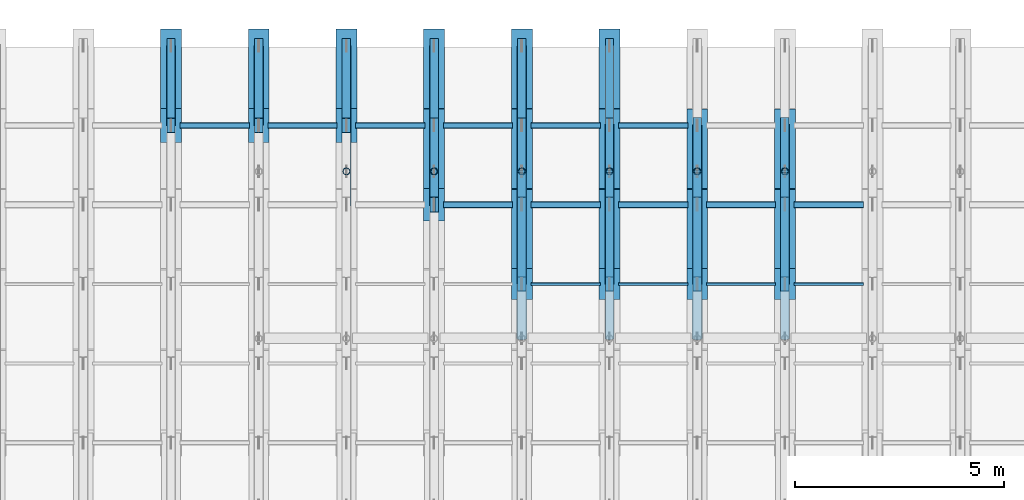
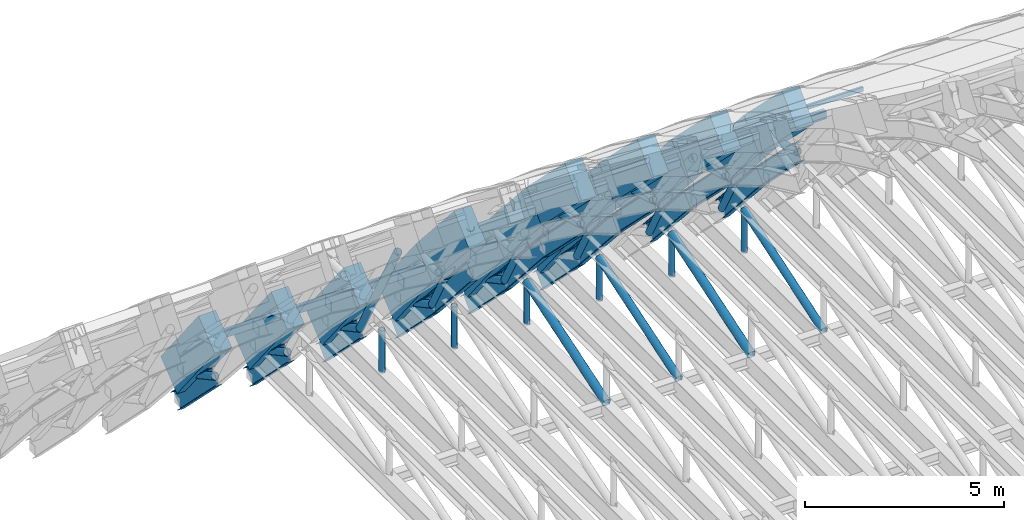
# One storey, part 47 of 67: 40 members, 30 beams.
"""IFC4 building model written with IfcOpenShell, lengths in metres."""

from ifc_helpers import new_model, si_unit, direction, frame, origin, origin_2d, place, context, subcontext, project, spatial, rectangle, hollow_rectangle, hollow_circle, i_section, extrude, material, material_profile, profile_set, type_object, element, save


model = new_model("IFC4")

# Units and contexts
model_context = context("Model", 3, precision=1e-05, world=origin(), true_north=direction((0.0, 1.0)))
body_context = subcontext(model_context, "Body", "Model", "MODEL_VIEW")
ifc_project = project(units=[si_unit("LENGTHUNIT", "METRE"), si_unit("AREAUNIT", "SQUARE_METRE"), si_unit("VOLUMEUNIT", "CUBIC_METRE"), si_unit("PLANEANGLEUNIT", "RADIAN"), si_unit("MASSUNIT", "GRAM", prefix="KILO")], contexts=[model_context])

# Site, building, storey
site_placement = place(None, origin())
site = spatial("IfcSite", under=ifc_project, at=site_placement, CompositionType="ELEMENT")
building_placement = place(site_placement, origin())
building = spatial("IfcBuilding", under=site, at=building_placement, Name="Shengluoqiao Park Theatre", CompositionType="ELEMENT")
storey_placement = place(building_placement, frame((0.0, 0.0, 28.60009765625)))
storey = spatial("IfcBuildingStorey", under=building, at=storey_placement, Name="Roof", CompositionType="ELEMENT", Elevation=28.60009765625)

# Beams
ifc_material_1 = material(Name="Concrete C50", Category="concrete")
ifc_material_profile_1 = material_profile(ifc_material_1, rectangle(XDim=0.5, YDim=1.050048828125, at=origin_2d()), Name="RC ARCH 500x1050")
ifc_profile_set_1 = profile_set([ifc_material_profile_1], Name="Concrete C50")
beam_type_1 = type_object("IfcBeamType", Name="STR-BM-AR-5010", PredefinedType="BEAM", material=ifc_profile_set_1)
for number, where, z_axis, x_axis, name in (
    (1, (61.199951171875, 112.10009765625, -7.6259765625), (0.0, 0.621631409309, -0.783309894588), (-1.0, 0.0, 0.0), "Barrel-Shell Arch Rib R09-S20"),
    (2, (63.300048828125, 112.10009765625, -7.6259765625), (0.0, 0.621631409309, -0.783309894588), (-1.0, 0.0, 0.0), "Barrel-Shell Arch Rib R10-S20"),
    (3, (65.39990234375, 112.10009765625, -7.6259765625), (0.0, 0.621631409309, -0.783309894588), (-1.0, 0.0, 0.0), "Barrel-Shell Arch Rib R11-S20"),
):
    element("IfcBeam", number, at=place(storey_placement, frame(where, z_axis=z_axis, x_axis=x_axis)), inside=storey, type_object=beam_type_1, Name=name, PredefinedType="BEAM", context=body_context, shape_type="SweptSolid", body=[
        extrude(rectangle(XDim=0.5, YDim=1.050048828125, at=origin_2d()), origin(), (0.0, 0.0, 1.0), 3.056396484375),
    ])
beam_1_placement = place(storey_placement, frame((67.5, 110.199951171875, -5.484130859375), z_axis=(0.0, 0.663638456789, -0.748053473136), x_axis=(-1.0, 0.0, 0.0)))
element("IfcBeam", 4, at=beam_1_placement, inside=storey, type_object=beam_type_1, Name="Barrel-Shell Arch Rib R12-S19", PredefinedType="BEAM", context=body_context, shape_type="SweptSolid", body=[
    extrude(rectangle(XDim=0.5, YDim=1.050048828125, at=origin_2d()), origin(), (0.0, 0.0, 1.0), 2.86328125),
])
beam_2_placement = place(storey_placement, frame((67.5, 112.10009765625, -7.6259765625), z_axis=(0.0, 0.621631409309, -0.783309894588), x_axis=(-1.0, 0.0, 0.0)))
element("IfcBeam", 5, at=beam_2_placement, inside=storey, type_object=beam_type_1, Name="Barrel-Shell Arch Rib R12-S20", PredefinedType="BEAM", context=body_context, shape_type="SweptSolid", body=[
    extrude(rectangle(XDim=0.5, YDim=1.050048828125, at=origin_2d()), origin(), (0.0, 0.0, 1.0), 3.056396484375),
])
beam_3_placement = place(storey_placement, frame((69.60009765625, 108.300048828125, -3.593994140625), z_axis=(0.0, 0.708926398432, -0.705282469373), x_axis=(-1.0, 0.0, 0.0)))
element("IfcBeam", 6, at=beam_3_placement, inside=storey, type_object=beam_type_1, Name="Barrel-Shell Arch Rib R13-S18", PredefinedType="BEAM", context=body_context, shape_type="SweptSolid", body=[
    extrude(rectangle(XDim=0.5, YDim=1.050048828125, at=origin_2d()), origin(), (0.0, 0.0, 1.0), 2.679931640625),
])
beam_4_placement = place(storey_placement, frame((69.60009765625, 110.199951171875, -5.484130859375), z_axis=(0.0, 0.663638456789, -0.748053473136), x_axis=(-1.0, 0.0, 0.0)))
element("IfcBeam", 7, at=beam_4_placement, inside=storey, type_object=beam_type_1, Name="Barrel-Shell Arch Rib R13-S19", PredefinedType="BEAM", context=body_context, shape_type="SweptSolid", body=[
    extrude(rectangle(XDim=0.5, YDim=1.050048828125, at=origin_2d()), origin(), (0.0, 0.0, 1.0), 2.86328125),
])
beam_5_placement = place(storey_placement, frame((69.60009765625, 112.10009765625, -7.6259765625), z_axis=(0.0, 0.621631409309, -0.783309894588), x_axis=(-1.0, 0.0, 0.0)))
element("IfcBeam", 8, at=beam_5_placement, inside=storey, type_object=beam_type_1, Name="Barrel-Shell Arch Rib R13-S20", PredefinedType="BEAM", context=body_context, shape_type="SweptSolid", body=[
    extrude(rectangle(XDim=0.5, YDim=1.050048828125, at=origin_2d()), origin(), (0.0, 0.0, 1.0), 3.056396484375),
])
beam_6_placement = place(storey_placement, frame((71.699951171875, 108.300048828125, -3.593994140625), z_axis=(0.0, 0.708926398432, -0.705282469373), x_axis=(-1.0, 0.0, 0.0)))
element("IfcBeam", 9, at=beam_6_placement, inside=storey, type_object=beam_type_1, Name="Barrel-Shell Arch Rib R14-S18", PredefinedType="BEAM", context=body_context, shape_type="SweptSolid", body=[
    extrude(rectangle(XDim=0.5, YDim=1.050048828125, at=origin_2d()), origin(), (0.0, 0.0, 1.0), 2.679931640625),
])
beam_7_placement = place(storey_placement, frame((71.699951171875, 110.199951171875, -5.484130859375), z_axis=(0.0, 0.663638456789, -0.748053473136), x_axis=(-1.0, 0.0, 0.0)))
element("IfcBeam", 10, at=beam_7_placement, inside=storey, type_object=beam_type_1, Name="Barrel-Shell Arch Rib R14-S19", PredefinedType="BEAM", context=body_context, shape_type="SweptSolid", body=[
    extrude(rectangle(XDim=0.5, YDim=1.050048828125, at=origin_2d()), origin(), (0.0, 0.0, 1.0), 2.86328125),
])
beam_8_placement = place(storey_placement, frame((71.699951171875, 112.10009765625, -7.6259765625), z_axis=(0.0, 0.621631409309, -0.783309894588), x_axis=(-1.0, 0.0, 0.0)))
element("IfcBeam", 11, at=beam_8_placement, inside=storey, type_object=beam_type_1, Name="Barrel-Shell Arch Rib R14-S20", PredefinedType="BEAM", context=body_context, shape_type="SweptSolid", body=[
    extrude(rectangle(XDim=0.5, YDim=1.050048828125, at=origin_2d()), origin(), (0.0, 0.0, 1.0), 3.056396484375),
])
beam_9_placement = place(storey_placement, frame((73.800048828125, 108.300048828125, -3.593994140625), z_axis=(0.0, 0.708926398432, -0.705282469373), x_axis=(-1.0, 0.0, 0.0)))
element("IfcBeam", 12, at=beam_9_placement, inside=storey, type_object=beam_type_1, Name="Barrel-Shell Arch Rib R15-S18", PredefinedType="BEAM", context=body_context, shape_type="SweptSolid", body=[
    extrude(rectangle(XDim=0.5, YDim=1.050048828125, at=origin_2d()), origin(), (0.0, 0.0, 1.0), 2.679931640625),
])
beam_10_placement = place(storey_placement, frame((73.800048828125, 110.199951171875, -5.484130859375), z_axis=(0.0, 0.663638456789, -0.748053473136), x_axis=(-1.0, 0.0, 0.0)))
element("IfcBeam", 13, at=beam_10_placement, inside=storey, type_object=beam_type_1, Name="Barrel-Shell Arch Rib R15-S19", PredefinedType="BEAM", context=body_context, shape_type="SweptSolid", body=[
    extrude(rectangle(XDim=0.5, YDim=1.050048828125, at=origin_2d()), origin(), (0.0, 0.0, 1.0), 2.86328125),
])
beam_11_placement = place(storey_placement, frame((75.89990234375, 108.300048828125, -3.593994140625), z_axis=(0.0, 0.708926398432, -0.705282469373), x_axis=(-1.0, 0.0, 0.0)))
element("IfcBeam", 14, at=beam_11_placement, inside=storey, type_object=beam_type_1, Name="Barrel-Shell Arch Rib R16-S18", PredefinedType="BEAM", context=body_context, shape_type="SweptSolid", body=[
    extrude(rectangle(XDim=0.5, YDim=1.050048828125, at=origin_2d()), origin(), (0.0, 0.0, 1.0), 2.679931640625),
])
beam_12_placement = place(storey_placement, frame((75.89990234375, 110.199951171875, -5.484130859375), z_axis=(0.0, 0.663638456789, -0.748053473136), x_axis=(-1.0, 0.0, 0.0)))
element("IfcBeam", 15, at=beam_12_placement, inside=storey, type_object=beam_type_1, Name="Barrel-Shell Arch Rib R16-S19", PredefinedType="BEAM", context=body_context, shape_type="SweptSolid", body=[
    extrude(rectangle(XDim=0.5, YDim=1.050048828125, at=origin_2d()), origin(), (0.0, 0.0, 1.0), 2.86328125),
])
ifc_material_2 = material(Name="Steel Q355", Category="steel")
ifc_material_profile_2 = material_profile(ifc_material_2, i_section(OverallWidth=0.199951171875, OverallDepth=0.5, WebThickness=0.010009765625, FlangeThickness=0.01611328125, FilletRadius=0.01806640625, at=origin_2d()), Name="HN 500x200x10x16")
ifc_profile_set_2 = profile_set([ifc_material_profile_2], Name="Steel Q355")
beam_type_2 = type_object("IfcBeamType", Name="STR-BM-J-HN500", PredefinedType="JOIST", material=ifc_profile_set_2)
for number, where, z_axis, x_axis, name in (
    (16, (61.199951171875, 112.10009765625, -8.986083984375), (0.0, 0.708197993403, -0.706013882398), (-1.0, 0.0, 0.0), "Barrel-Shell Lower Arch Chord R09-S20"),
    (17, (63.300048828125, 112.10009765625, -8.986083984375), (0.0, 0.708197993403, -0.706013882398), (-1.0, 0.0, 0.0), "Barrel-Shell Lower Arch Chord R10-S20"),
    (18, (65.39990234375, 112.10009765625, -8.986083984375), (0.0, 0.708197993403, -0.706013882398), (-1.0, 0.0, 0.0), "Barrel-Shell Lower Arch Chord R11-S20"),
):
    element("IfcBeam", number, at=place(storey_placement, frame(where, z_axis=z_axis, x_axis=x_axis)), inside=storey, type_object=beam_type_2, Name=name, PredefinedType="JOIST", context=body_context, shape_type="SweptSolid", body=[
        extrude(i_section(OverallWidth=0.199951171875, OverallDepth=0.5, WebThickness=0.010009765625, FlangeThickness=0.01611328125, FilletRadius=0.01806640625, at=origin_2d()), origin(), (0.0, 0.0, 1.0), 2.6826171875),
    ])
beam_13_placement = place(storey_placement, frame((67.5, 110.199951171875, -6.843994140625), z_axis=(0.0, 0.663596128385, -0.748091022799), x_axis=(-1.0, 0.0, 0.0)))
element("IfcBeam", 19, at=beam_13_placement, inside=storey, type_object=beam_type_2, Name="Barrel-Shell Lower Arch Chord R12-S19", PredefinedType="JOIST", context=body_context, shape_type="SweptSolid", body=[
    extrude(i_section(OverallWidth=0.199951171875, OverallDepth=0.5, WebThickness=0.010009765625, FlangeThickness=0.01611328125, FilletRadius=0.01806640625, at=origin_2d()), origin(), (0.0, 0.0, 1.0), 2.863525390625),
])
beam_14_placement = place(storey_placement, frame((67.5, 112.10009765625, -8.986083984375), z_axis=(0.0, 0.708197993403, -0.706013882398), x_axis=(-1.0, 0.0, 0.0)))
element("IfcBeam", 20, at=beam_14_placement, inside=storey, type_object=beam_type_2, Name="Barrel-Shell Lower Arch Chord R12-S20", PredefinedType="JOIST", context=body_context, shape_type="SweptSolid", body=[
    extrude(i_section(OverallWidth=0.199951171875, OverallDepth=0.5, WebThickness=0.010009765625, FlangeThickness=0.01611328125, FilletRadius=0.01806640625, at=origin_2d()), origin(), (0.0, 0.0, 1.0), 2.6826171875),
])
beam_15_placement = place(storey_placement, frame((69.60009765625, 108.300048828125, -4.9541015625), z_axis=(0.0, 0.708971948389, -0.70523668112), x_axis=(-1.0, 0.0, 0.0)))
element("IfcBeam", 21, at=beam_15_placement, inside=storey, type_object=beam_type_2, Name="Barrel-Shell Lower Arch Chord R13-S18", PredefinedType="JOIST", context=body_context, shape_type="SweptSolid", body=[
    extrude(i_section(OverallWidth=0.199951171875, OverallDepth=0.5, WebThickness=0.010009765625, FlangeThickness=0.01611328125, FilletRadius=0.01806640625, at=origin_2d()), origin(), (0.0, 0.0, 1.0), 2.6796875),
])
beam_16_placement = place(storey_placement, frame((69.60009765625, 110.199951171875, -6.843994140625), z_axis=(0.0, 0.663596128385, -0.748091022799), x_axis=(-1.0, 0.0, 0.0)))
element("IfcBeam", 22, at=beam_16_placement, inside=storey, type_object=beam_type_2, Name="Barrel-Shell Lower Arch Chord R13-S19", PredefinedType="JOIST", context=body_context, shape_type="SweptSolid", body=[
    extrude(i_section(OverallWidth=0.199951171875, OverallDepth=0.5, WebThickness=0.010009765625, FlangeThickness=0.01611328125, FilletRadius=0.01806640625, at=origin_2d()), origin(), (0.0, 0.0, 1.0), 2.863525390625),
])
beam_17_placement = place(storey_placement, frame((69.60009765625, 112.10009765625, -8.986083984375), z_axis=(0.0, 0.708197993403, -0.706013882398), x_axis=(-1.0, 0.0, 0.0)))
element("IfcBeam", 23, at=beam_17_placement, inside=storey, type_object=beam_type_2, Name="Barrel-Shell Lower Arch Chord R13-S20", PredefinedType="JOIST", context=body_context, shape_type="SweptSolid", body=[
    extrude(i_section(OverallWidth=0.199951171875, OverallDepth=0.5, WebThickness=0.010009765625, FlangeThickness=0.01611328125, FilletRadius=0.01806640625, at=origin_2d()), origin(), (0.0, 0.0, 1.0), 2.6826171875),
])
beam_18_placement = place(storey_placement, frame((71.699951171875, 108.300048828125, -4.9541015625), z_axis=(0.0, 0.708971948389, -0.70523668112), x_axis=(-1.0, 0.0, 0.0)))
element("IfcBeam", 24, at=beam_18_placement, inside=storey, type_object=beam_type_2, Name="Barrel-Shell Lower Arch Chord R14-S18", PredefinedType="JOIST", context=body_context, shape_type="SweptSolid", body=[
    extrude(i_section(OverallWidth=0.199951171875, OverallDepth=0.5, WebThickness=0.010009765625, FlangeThickness=0.01611328125, FilletRadius=0.01806640625, at=origin_2d()), origin(), (0.0, 0.0, 1.0), 2.6796875),
])
beam_19_placement = place(storey_placement, frame((71.699951171875, 110.199951171875, -6.843994140625), z_axis=(0.0, 0.663596128385, -0.748091022799), x_axis=(-1.0, 0.0, 0.0)))
element("IfcBeam", 25, at=beam_19_placement, inside=storey, type_object=beam_type_2, Name="Barrel-Shell Lower Arch Chord R14-S19", PredefinedType="JOIST", context=body_context, shape_type="SweptSolid", body=[
    extrude(i_section(OverallWidth=0.199951171875, OverallDepth=0.5, WebThickness=0.010009765625, FlangeThickness=0.01611328125, FilletRadius=0.01806640625, at=origin_2d()), origin(), (0.0, 0.0, 1.0), 2.863525390625),
])
beam_20_placement = place(storey_placement, frame((71.699951171875, 112.10009765625, -8.986083984375), z_axis=(0.0, 0.708197993403, -0.706013882398), x_axis=(-1.0, 0.0, 0.0)))
element("IfcBeam", 26, at=beam_20_placement, inside=storey, type_object=beam_type_2, Name="Barrel-Shell Lower Arch Chord R14-S20", PredefinedType="JOIST", context=body_context, shape_type="SweptSolid", body=[
    extrude(i_section(OverallWidth=0.199951171875, OverallDepth=0.5, WebThickness=0.010009765625, FlangeThickness=0.01611328125, FilletRadius=0.01806640625, at=origin_2d()), origin(), (0.0, 0.0, 1.0), 2.6826171875),
])
beam_21_placement = place(storey_placement, frame((73.800048828125, 108.300048828125, -4.9541015625), z_axis=(0.0, 0.708971948389, -0.70523668112), x_axis=(-1.0, 0.0, 0.0)))
element("IfcBeam", 27, at=beam_21_placement, inside=storey, type_object=beam_type_2, Name="Barrel-Shell Lower Arch Chord R15-S18", PredefinedType="JOIST", context=body_context, shape_type="SweptSolid", body=[
    extrude(i_section(OverallWidth=0.199951171875, OverallDepth=0.5, WebThickness=0.010009765625, FlangeThickness=0.01611328125, FilletRadius=0.01806640625, at=origin_2d()), origin(), (0.0, 0.0, 1.0), 2.6796875),
])
beam_22_placement = place(storey_placement, frame((73.800048828125, 110.199951171875, -6.843994140625), z_axis=(0.0, 0.663596128385, -0.748091022799), x_axis=(-1.0, 0.0, 0.0)))
element("IfcBeam", 28, at=beam_22_placement, inside=storey, type_object=beam_type_2, Name="Barrel-Shell Lower Arch Chord R15-S19", PredefinedType="JOIST", context=body_context, shape_type="SweptSolid", body=[
    extrude(i_section(OverallWidth=0.199951171875, OverallDepth=0.5, WebThickness=0.010009765625, FlangeThickness=0.01611328125, FilletRadius=0.01806640625, at=origin_2d()), origin(), (0.0, 0.0, 1.0), 2.863525390625),
])
beam_23_placement = place(storey_placement, frame((75.89990234375, 108.300048828125, -4.9541015625), z_axis=(0.0, 0.708971948389, -0.70523668112), x_axis=(-1.0, 0.0, 0.0)))
element("IfcBeam", 29, at=beam_23_placement, inside=storey, type_object=beam_type_2, Name="Barrel-Shell Lower Arch Chord R16-S18", PredefinedType="JOIST", context=body_context, shape_type="SweptSolid", body=[
    extrude(i_section(OverallWidth=0.199951171875, OverallDepth=0.5, WebThickness=0.010009765625, FlangeThickness=0.01611328125, FilletRadius=0.01806640625, at=origin_2d()), origin(), (0.0, 0.0, 1.0), 2.6796875),
])
beam_24_placement = place(storey_placement, frame((75.89990234375, 110.199951171875, -6.843994140625), z_axis=(0.0, 0.663596128385, -0.748091022799), x_axis=(-1.0, 0.0, 0.0)))
element("IfcBeam", 30, at=beam_24_placement, inside=storey, type_object=beam_type_2, Name="Barrel-Shell Lower Arch Chord R16-S19", PredefinedType="JOIST", context=body_context, shape_type="SweptSolid", body=[
    extrude(i_section(OverallWidth=0.199951171875, OverallDepth=0.5, WebThickness=0.010009765625, FlangeThickness=0.01611328125, FilletRadius=0.01806640625, at=origin_2d()), origin(), (0.0, 0.0, 1.0), 2.863525390625),
])

# Members
ifc_material_profile_3 = material_profile(ifc_material_2, hollow_circle(Radius=0.109619140625, WallThickness=0.010009765625, at=origin_2d()), Name="CHS 219x10")
ifc_profile_set_3 = profile_set([ifc_material_profile_3], Name="Steel Q355")
member_type_1 = type_object("IfcMemberType", Name="STR-MEM-BRC-219", PredefinedType="BRACE", material=ifc_profile_set_3)
for number, where, z_axis, x_axis, name in (
    (31, (61.199951171875, 112.10009765625, -8.986083984375), (0.0, 0.878356711208, -0.478005740422), (-1.0, 0.0, 0.0), "Barrel-Shell Arch Truss Web 0180"),
    (32, (63.300048828125, 112.10009765625, -8.986083984375), (0.0, 0.878356711208, -0.478005740422), (-1.0, 0.0, 0.0), "Barrel-Shell Arch Truss Web 0200"),
):
    element("IfcMember", number, at=place(storey_placement, frame(where, z_axis=z_axis, x_axis=x_axis)), inside=storey, type_object=member_type_1, Name=name, PredefinedType="BRACE", context=body_context, shape_type="SweptSolid", body=[
        extrude(hollow_circle(Radius=0.109619140625, WallThickness=0.010009765625, at=origin_2d()), origin(), (0.0, 0.0, 1.0), 2.1630859375),
    ])
member_1_placement = place(storey_placement, frame((65.39990234375, 110.199951171875, -5.484130859375), z_axis=(0.0, 0.476914707828, -0.87894957845), x_axis=(-1.0, 0.0, 0.0)))
element("IfcMember", 33, at=member_1_placement, inside=storey, type_object=member_type_1, Name="Barrel-Shell Arch Truss Web 0219", PredefinedType="BRACE", context=body_context, shape_type="SweptSolid", body=[
    extrude(hollow_circle(Radius=0.109619140625, WallThickness=0.010009765625, at=origin_2d()), origin(), (0.0, 0.0, 1.0), 3.984130859375),
])
member_2_placement = place(storey_placement, frame((65.39990234375, 112.10009765625, -8.986083984375), z_axis=(0.0, 0.878356711208, -0.478005740422), x_axis=(-1.0, 0.0, 0.0)))
element("IfcMember", 34, at=member_2_placement, inside=storey, type_object=member_type_1, Name="Barrel-Shell Arch Truss Web 0220", PredefinedType="BRACE", context=body_context, shape_type="SweptSolid", body=[
    extrude(hollow_circle(Radius=0.109619140625, WallThickness=0.010009765625, at=origin_2d()), origin(), (0.0, 0.0, 1.0), 2.1630859375),
])
member_3_placement = place(storey_placement, frame((67.5, 110.199951171875, -5.484130859375), z_axis=(0.0, 0.476914707828, -0.87894957845), x_axis=(-1.0, 0.0, 0.0)))
element("IfcMember", 35, at=member_3_placement, inside=storey, type_object=member_type_1, Name="Barrel-Shell Arch Truss Web 0239", PredefinedType="BRACE", context=body_context, shape_type="SweptSolid", body=[
    extrude(hollow_circle(Radius=0.109619140625, WallThickness=0.010009765625, at=origin_2d()), origin(), (0.0, 0.0, 1.0), 3.984130859375),
])
member_4_placement = place(storey_placement, frame((67.5, 112.10009765625, -8.986083984375), z_axis=(0.0, 0.878356711208, -0.478005740422), x_axis=(-1.0, 0.0, 0.0)))
element("IfcMember", 36, at=member_4_placement, inside=storey, type_object=member_type_1, Name="Barrel-Shell Arch Truss Web 0240", PredefinedType="BRACE", context=body_context, shape_type="SweptSolid", body=[
    extrude(hollow_circle(Radius=0.109619140625, WallThickness=0.010009765625, at=origin_2d()), origin(), (0.0, 0.0, 1.0), 2.1630859375),
])
member_5_placement = place(storey_placement, frame((69.60009765625, 108.300048828125, -4.9541015625), z_axis=(0.0, 0.963219400843, -0.268716180831), x_axis=(-1.0, 0.0, 0.0)))
element("IfcMember", 37, at=member_5_placement, inside=storey, type_object=member_type_1, Name="Barrel-Shell Arch Truss Web 0258", PredefinedType="BRACE", context=body_context, shape_type="SweptSolid", body=[
    extrude(hollow_circle(Radius=0.109619140625, WallThickness=0.010009765625, at=origin_2d()), origin(), (0.0, 0.0, 1.0), 1.972412109375),
])
member_6_placement = place(storey_placement, frame((69.60009765625, 110.199951171875, -5.484130859375), z_axis=(0.0, 0.476914707828, -0.87894957845), x_axis=(-1.0, 0.0, 0.0)))
element("IfcMember", 38, at=member_6_placement, inside=storey, type_object=member_type_1, Name="Barrel-Shell Arch Truss Web 0259", PredefinedType="BRACE", context=body_context, shape_type="SweptSolid", body=[
    extrude(hollow_circle(Radius=0.109619140625, WallThickness=0.010009765625, at=origin_2d()), origin(), (0.0, 0.0, 1.0), 3.984130859375),
])
member_7_placement = place(storey_placement, frame((69.60009765625, 112.10009765625, -8.986083984375), z_axis=(0.0, 0.878356711208, -0.478005740422), x_axis=(-1.0, 0.0, 0.0)))
element("IfcMember", 39, at=member_7_placement, inside=storey, type_object=member_type_1, Name="Barrel-Shell Arch Truss Web 0260", PredefinedType="BRACE", context=body_context, shape_type="SweptSolid", body=[
    extrude(hollow_circle(Radius=0.109619140625, WallThickness=0.010009765625, at=origin_2d()), origin(), (0.0, 0.0, 1.0), 2.1630859375),
])
member_8_placement = place(storey_placement, frame((71.699951171875, 108.300048828125, -4.9541015625), z_axis=(0.0, 0.963219400843, -0.268716180831), x_axis=(-1.0, 0.0, 0.0)))
element("IfcMember", 40, at=member_8_placement, inside=storey, type_object=member_type_1, Name="Barrel-Shell Arch Truss Web 0278", PredefinedType="BRACE", context=body_context, shape_type="SweptSolid", body=[
    extrude(hollow_circle(Radius=0.109619140625, WallThickness=0.010009765625, at=origin_2d()), origin(), (0.0, 0.0, 1.0), 1.972412109375),
])
member_9_placement = place(storey_placement, frame((71.699951171875, 110.199951171875, -5.484130859375), z_axis=(0.0, 0.476914707828, -0.87894957845), x_axis=(-1.0, 0.0, 0.0)))
element("IfcMember", 41, at=member_9_placement, inside=storey, type_object=member_type_1, Name="Barrel-Shell Arch Truss Web 0279", PredefinedType="BRACE", context=body_context, shape_type="SweptSolid", body=[
    extrude(hollow_circle(Radius=0.109619140625, WallThickness=0.010009765625, at=origin_2d()), origin(), (0.0, 0.0, 1.0), 3.984130859375),
])
member_10_placement = place(storey_placement, frame((73.800048828125, 108.300048828125, -4.9541015625), z_axis=(0.0, 0.963219400843, -0.268716180831), x_axis=(-1.0, 0.0, 0.0)))
element("IfcMember", 42, at=member_10_placement, inside=storey, type_object=member_type_1, Name="Barrel-Shell Arch Truss Web 0298", PredefinedType="BRACE", context=body_context, shape_type="SweptSolid", body=[
    extrude(hollow_circle(Radius=0.109619140625, WallThickness=0.010009765625, at=origin_2d()), origin(), (0.0, 0.0, 1.0), 1.972412109375),
])
member_11_placement = place(storey_placement, frame((73.800048828125, 110.199951171875, -5.484130859375), z_axis=(0.0, 0.476914707828, -0.87894957845), x_axis=(-1.0, 0.0, 0.0)))
element("IfcMember", 43, at=member_11_placement, inside=storey, type_object=member_type_1, Name="Barrel-Shell Arch Truss Web 0299", PredefinedType="BRACE", context=body_context, shape_type="SweptSolid", body=[
    extrude(hollow_circle(Radius=0.109619140625, WallThickness=0.010009765625, at=origin_2d()), origin(), (0.0, 0.0, 1.0), 3.984130859375),
])
member_12_placement = place(storey_placement, frame((75.89990234375, 108.300048828125, -4.9541015625), z_axis=(0.0, 0.963219400843, -0.268716180831), x_axis=(-1.0, 0.0, 0.0)))
element("IfcMember", 44, at=member_12_placement, inside=storey, type_object=member_type_1, Name="Barrel-Shell Arch Truss Web 0318", PredefinedType="BRACE", context=body_context, shape_type="SweptSolid", body=[
    extrude(hollow_circle(Radius=0.109619140625, WallThickness=0.010009765625, at=origin_2d()), origin(), (0.0, 0.0, 1.0), 1.972412109375),
])
member_13_placement = place(storey_placement, frame((75.89990234375, 110.199951171875, -5.484130859375), z_axis=(0.0, 0.476914707828, -0.87894957845), x_axis=(-1.0, 0.0, 0.0)))
element("IfcMember", 45, at=member_13_placement, inside=storey, type_object=member_type_1, Name="Barrel-Shell Arch Truss Web 0319", PredefinedType="BRACE", context=body_context, shape_type="SweptSolid", body=[
    extrude(hollow_circle(Radius=0.109619140625, WallThickness=0.010009765625, at=origin_2d()), origin(), (0.0, 0.0, 1.0), 3.984130859375),
])
for number, where, z_axis, x_axis, name in (
    (46, (71.699951171875, 107.0, -9.650146484375), (0.0, 0.951030656115, 0.309096572498), (-1.0, 0.0, 0.0), "Acoustic Tie Truss Diagonal 0085"),
    (47, (75.89990234375, 107.0, -9.650146484375), (0.0, 0.951030656115, 0.309096572498), (-1.0, 0.0, 0.0), "Acoustic Tie Truss Diagonal 0119"),
):
    element("IfcMember", number, at=place(storey_placement, frame(where, z_axis=z_axis, x_axis=x_axis)), inside=storey, type_object=member_type_1, Name=name, PredefinedType="BRACE", context=body_context, shape_type="SweptSolid", body=[
        extrude(hollow_circle(Radius=0.109619140625, WallThickness=0.010009765625, at=origin_2d()), origin(), (0.0, 0.0, 1.0), 4.2060546875),
    ])
ifc_material_profile_4 = material_profile(ifc_material_2, hollow_circle(Radius=0.12255859375, WallThickness=0.010009765625, at=origin_2d()), Name="CHS 245x10")
ifc_profile_set_4 = profile_set([ifc_material_profile_4], Name="Steel Q355")
member_type_2 = type_object("IfcMemberType", Name="STR-MEM-BRC-245", PredefinedType="BRACE", material=ifc_profile_set_4)
for number, where, z_axis, x_axis, name in (
    (48, (69.60009765625, 107.0, -9.650146484375), (0.0, 0.951030656115, 0.309096572498), (-1.0, 0.0, 0.0), "Acoustic Tie Truss Diagonal 0068"),
    (49, (73.800048828125, 107.0, -9.650146484375), (0.0, 0.951030656115, 0.309096572498), (-1.0, 0.0, 0.0), "Acoustic Tie Truss Diagonal 0102"),
):
    element("IfcMember", number, at=place(storey_placement, frame(where, z_axis=z_axis, x_axis=x_axis)), inside=storey, type_object=member_type_2, Name=name, PredefinedType="BRACE", context=body_context, shape_type="SweptSolid", body=[
        extrude(hollow_circle(Radius=0.12255859375, WallThickness=0.010009765625, at=origin_2d()), origin(), (0.0, 0.0, 1.0), 4.2060546875),
    ])
ifc_material_profile_5 = material_profile(ifc_material_2, hollow_rectangle(XDim=0.070068359375, YDim=0.139892578125, WallThickness=0.006103515625, InnerFilletRadius=0.006103515625, OuterFilletRadius=0.011962890625, at=origin_2d()), Name="RHS 140x70x6")
ifc_profile_set_5 = profile_set([ifc_material_profile_5], Name="Steel Q355")
member_type_3 = type_object("IfcMemberType", Name="STR-MEM-PU-R140", PredefinedType="PURLIN", material=ifc_profile_set_5)
member_14_placement = place(storey_placement, frame((69.820068359375, 108.300048828125, -3.674072265625), z_axis=(1.0, 0.0, 0.0), x_axis=(0.0, 1.0, 0.0)))
element("IfcMember", 50, at=member_14_placement, inside=storey, type_object=member_type_3, Name="Shell Longitudinal Purlin 0245", PredefinedType="PURLIN", context=body_context, shape_type="SweptSolid", body=[
    extrude(hollow_rectangle(XDim=0.070068359375, YDim=0.139892578125, WallThickness=0.006103515625, InnerFilletRadius=0.006103515625, OuterFilletRadius=0.011962890625, at=origin_2d()), origin(), (0.0, 0.0, 1.0), 1.659912109375),
])
member_15_placement = place(storey_placement, frame((71.919921875, 108.300048828125, -3.674072265625), z_axis=(1.0, 0.0, 0.0), x_axis=(0.0, 1.0, 0.0)))
element("IfcMember", 51, at=member_15_placement, inside=storey, type_object=member_type_3, Name="Shell Longitudinal Purlin 0264", PredefinedType="PURLIN", context=body_context, shape_type="SweptSolid", body=[
    extrude(hollow_rectangle(XDim=0.070068359375, YDim=0.139892578125, WallThickness=0.006103515625, InnerFilletRadius=0.006103515625, OuterFilletRadius=0.011962890625, at=origin_2d()), origin(), (0.0, 0.0, 1.0), 1.66015625),
])
for number, where, z_axis, x_axis, name in (
    (52, (74.02001953125, 108.300048828125, -3.674072265625), (1.0, 0.0, 0.0), (0.0, 1.0, 0.0), "Shell Longitudinal Purlin 0283"),
    (53, (76.1201171875, 108.300048828125, -3.674072265625), (1.0, 0.0, 0.0), (0.0, 1.0, 0.0), "Shell Longitudinal Purlin 0302"),
):
    element("IfcMember", number, at=place(storey_placement, frame(where, z_axis=z_axis, x_axis=x_axis)), inside=storey, type_object=member_type_3, Name=name, PredefinedType="PURLIN", context=body_context, shape_type="SweptSolid", body=[
        extrude(hollow_rectangle(XDim=0.070068359375, YDim=0.139892578125, WallThickness=0.006103515625, InnerFilletRadius=0.006103515625, OuterFilletRadius=0.011962890625, at=origin_2d()), origin(), (0.0, 0.0, 1.0), 1.659912109375),
    ])
ifc_material_profile_6 = material_profile(ifc_material_2, hollow_rectangle(XDim=0.139892578125, YDim=0.219970703125, WallThickness=0.010009765625, InnerFilletRadius=0.010009765625, OuterFilletRadius=0.02001953125, at=origin_2d()), Name="RHS 220x140x10")
ifc_profile_set_6 = profile_set([ifc_material_profile_6], Name="Steel Q355")
member_type_4 = type_object("IfcMemberType", Name="STR-MEM-PU-R220", PredefinedType="PURLIN", material=ifc_profile_set_6)
member_16_placement = place(storey_placement, frame((61.419921875, 112.10009765625, -7.76611328125), z_axis=(1.0, 0.0, 0.0), x_axis=(0.0, 1.0, 0.0)))
element("IfcMember", 54, at=member_16_placement, inside=storey, type_object=member_type_4, Name="Shell Longitudinal Purlin 0171", PredefinedType="PURLIN", context=body_context, shape_type="SweptSolid", body=[
    extrude(hollow_rectangle(XDim=0.139892578125, YDim=0.219970703125, WallThickness=0.010009765625, InnerFilletRadius=0.010009765625, OuterFilletRadius=0.02001953125, at=origin_2d()), origin(), (0.0, 0.0, 1.0), 1.66015625),
])
for number, where, z_axis, x_axis, name in (
    (55, (63.52001953125, 112.10009765625, -7.76611328125), (1.0, 0.0, 0.0), (0.0, 1.0, 0.0), "Shell Longitudinal Purlin 0190"),
    (56, (65.6201171875, 112.10009765625, -7.76611328125), (1.0, 0.0, 0.0), (0.0, 1.0, 0.0), "Shell Longitudinal Purlin 0209"),
    (57, (67.719970703125, 112.10009765625, -7.76611328125), (1.0, 0.0, 0.0), (0.0, 1.0, 0.0), "Shell Longitudinal Purlin 0228"),
    (58, (69.820068359375, 112.10009765625, -7.76611328125), (1.0, 0.0, 0.0), (0.0, 1.0, 0.0), "Shell Longitudinal Purlin 0247"),
):
    element("IfcMember", number, at=place(storey_placement, frame(where, z_axis=z_axis, x_axis=x_axis)), inside=storey, type_object=member_type_4, Name=name, PredefinedType="PURLIN", context=body_context, shape_type="SweptSolid", body=[
        extrude(hollow_rectangle(XDim=0.139892578125, YDim=0.219970703125, WallThickness=0.010009765625, InnerFilletRadius=0.010009765625, OuterFilletRadius=0.02001953125, at=origin_2d()), origin(), (0.0, 0.0, 1.0), 1.659912109375),
    ])
member_17_placement = place(storey_placement, frame((71.919921875, 112.10009765625, -7.76611328125), z_axis=(1.0, 0.0, 0.0), x_axis=(0.0, 1.0, 0.0)))
element("IfcMember", 59, at=member_17_placement, inside=storey, type_object=member_type_4, Name="Shell Longitudinal Purlin 0266", PredefinedType="PURLIN", context=body_context, shape_type="SweptSolid", body=[
    extrude(hollow_rectangle(XDim=0.139892578125, YDim=0.219970703125, WallThickness=0.010009765625, InnerFilletRadius=0.010009765625, OuterFilletRadius=0.02001953125, at=origin_2d()), origin(), (0.0, 0.0, 1.0), 1.66015625),
])
ifc_material_profile_7 = material_profile(ifc_material_2, hollow_rectangle(XDim=0.14990234375, YDim=0.25, WallThickness=0.010009765625, InnerFilletRadius=0.010009765625, OuterFilletRadius=0.02001953125, at=origin_2d()), Name="RHS 250x150x10")
ifc_profile_set_7 = profile_set([ifc_material_profile_7], Name="Steel Q355")
member_type_5 = type_object("IfcMemberType", Name="STR-MEM-PU-R250", PredefinedType="PURLIN", material=ifc_profile_set_7)
for number, where, z_axis, x_axis, name in (
    (60, (67.719970703125, 110.199951171875, -5.593994140625), (1.0, 0.0, 0.0), (0.0, 1.0, 0.0), "Shell Longitudinal Purlin 0227"),
    (61, (69.820068359375, 110.199951171875, -5.593994140625), (1.0, 0.0, 0.0), (0.0, 1.0, 0.0), "Shell Longitudinal Purlin 0246"),
):
    element("IfcMember", number, at=place(storey_placement, frame(where, z_axis=z_axis, x_axis=x_axis)), inside=storey, type_object=member_type_5, Name=name, PredefinedType="PURLIN", context=body_context, shape_type="SweptSolid", body=[
        extrude(hollow_rectangle(XDim=0.14990234375, YDim=0.25, WallThickness=0.010009765625, InnerFilletRadius=0.010009765625, OuterFilletRadius=0.02001953125, at=origin_2d()), origin(), (0.0, 0.0, 1.0), 1.659912109375),
    ])
member_18_placement = place(storey_placement, frame((71.919921875, 110.199951171875, -5.593994140625), z_axis=(1.0, 0.0, 0.0), x_axis=(0.0, 1.0, 0.0)))
element("IfcMember", 62, at=member_18_placement, inside=storey, type_object=member_type_5, Name="Shell Longitudinal Purlin 0265", PredefinedType="PURLIN", context=body_context, shape_type="SweptSolid", body=[
    extrude(hollow_rectangle(XDim=0.14990234375, YDim=0.25, WallThickness=0.010009765625, InnerFilletRadius=0.010009765625, OuterFilletRadius=0.02001953125, at=origin_2d()), origin(), (0.0, 0.0, 1.0), 1.66015625),
])
for number, where, z_axis, x_axis, name in (
    (63, (74.02001953125, 110.199951171875, -5.593994140625), (1.0, 0.0, 0.0), (0.0, 1.0, 0.0), "Shell Longitudinal Purlin 0284"),
    (64, (76.1201171875, 110.199951171875, -5.593994140625), (1.0, 0.0, 0.0), (0.0, 1.0, 0.0), "Shell Longitudinal Purlin 0303"),
):
    element("IfcMember", number, at=place(storey_placement, frame(where, z_axis=z_axis, x_axis=x_axis)), inside=storey, type_object=member_type_5, Name=name, PredefinedType="PURLIN", context=body_context, shape_type="SweptSolid", body=[
        extrude(hollow_rectangle(XDim=0.14990234375, YDim=0.25, WallThickness=0.010009765625, InnerFilletRadius=0.010009765625, OuterFilletRadius=0.02001953125, at=origin_2d()), origin(), (0.0, 0.0, 1.0), 1.659912109375),
    ])
ifc_material_profile_8 = material_profile(ifc_material_2, hollow_circle(Radius=0.083984375, WallThickness=0.008056640625, at=origin_2d()), Name="CHS 168x8")
ifc_profile_set_8 = profile_set([ifc_material_profile_8], Name="Steel Q355")
member_type_6 = type_object("IfcMemberType", Name="STR-MEM-STC-168", PredefinedType="STRUT", material=ifc_profile_set_8)
for number, where, z_axis, x_axis, name in (
    (65, (65.39990234375, 111.0, -9.650146484375), (0.0, 0.0, 1.0), (1.0, 0.0, 0.0), "Acoustic Tie Truss Strut 0026"),
    (66, (67.5, 111.0, -9.650146484375), (0.0, 0.0, 1.0), (1.0, 0.0, 0.0), "Acoustic Tie Truss Strut 0043"),
    (67, (69.60009765625, 111.0, -9.650146484375), (0.0, 0.0, 1.0), (1.0, 0.0, 0.0), "Acoustic Tie Truss Strut 0060"),
    (68, (71.699951171875, 111.0, -9.650146484375), (0.0, 0.0, 1.0), (1.0, 0.0, 0.0), "Acoustic Tie Truss Strut 0077"),
    (69, (73.800048828125, 111.0, -9.650146484375), (0.0, 0.0, 1.0), (1.0, 0.0, 0.0), "Acoustic Tie Truss Strut 0094"),
    (70, (75.89990234375, 111.0, -9.650146484375), (0.0, 0.0, 1.0), (1.0, 0.0, 0.0), "Acoustic Tie Truss Strut 0111"),
):
    element("IfcMember", number, at=place(storey_placement, frame(where, z_axis=z_axis, x_axis=x_axis)), inside=storey, type_object=member_type_6, Name=name, PredefinedType="STRUT", context=body_context, shape_type="SweptSolid", body=[
        extrude(hollow_circle(Radius=0.083984375, WallThickness=0.008056640625, at=origin_2d()), origin(), (0.0, 0.0, 1.0), 1.300048828125),
    ])

save(model, "model.ifc")
